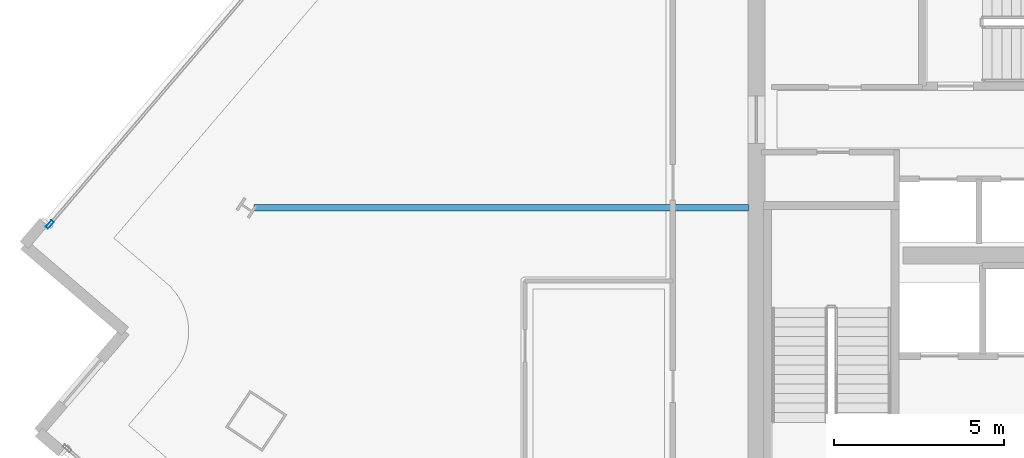
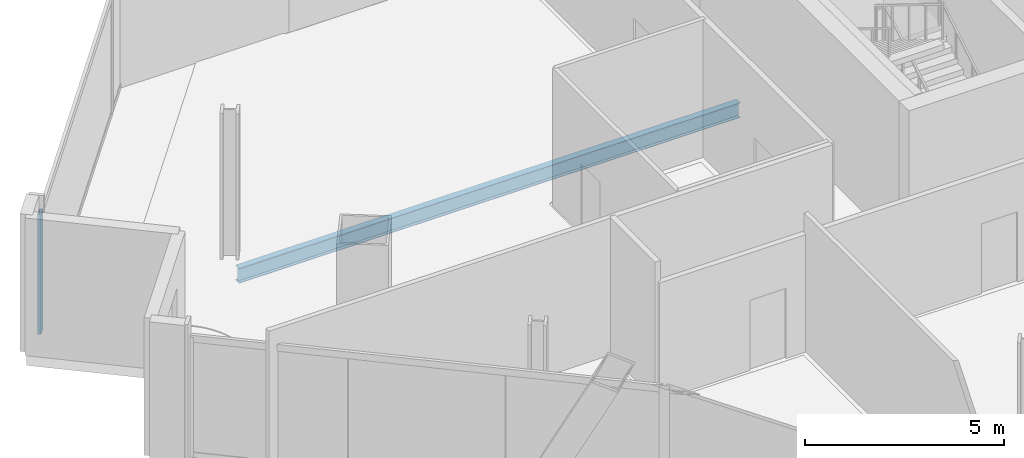
# One storey, part 5 of 26: 1 beam, 1 member, 1 element without a shape of its own.
"""IFC4 building model written with IfcOpenShell, lengths in metres."""

from ifc_helpers import new_model, si_unit, direction, frame, origin, origin_2d, place, context, subcontext, project, spatial, hollow_rectangle, i_section, extrude, material, material_profile, profile_set, type_object, element, aggregate, save


model = new_model("IFC4")

# Units and contexts
model_context = context("Model", 3, precision=1e-05, world=origin(), true_north=direction((0.0, 1.0)))
body_context = subcontext(model_context, "Body", "Model", "MODEL_VIEW")
ifc_project = project(units=[si_unit("LENGTHUNIT", "METRE"), si_unit("AREAUNIT", "SQUARE_METRE"), si_unit("VOLUMEUNIT", "CUBIC_METRE"), si_unit("PLANEANGLEUNIT", "RADIAN"), si_unit("MASSUNIT", "GRAM", prefix="KILO")], contexts=[model_context])

# Site, building, storey
site_placement = place(None, origin())
site = spatial("IfcSite", under=ifc_project, at=site_placement, CompositionType="ELEMENT")
building_placement = place(site_placement, origin())
building = spatial("IfcBuilding", under=site, at=building_placement, Name="Haldenkirk Collegiate Tower", CompositionType="ELEMENT")
storey_placement = place(building_placement, frame((0.0, 0.0, 193.949951171875)))
storey = spatial("IfcBuildingStorey", under=building, at=storey_placement, Name="L48", CompositionType="ELEMENT", Elevation=193.949951171875)

# Beam
ifc_material_1 = material(Name="Steel ASTM A992 Grade 50", Category="steel")
ifc_material_profile_1 = material_profile(ifc_material_1, i_section(OverallWidth=0.18994140625, OverallDepth=0.45703125, WebThickness=0.009033203125, FlangeThickness=0.014404296875, at=origin_2d()), Name="W18X50")
ifc_profile_set_1 = profile_set([ifc_material_profile_1], Name="Steel ASTM A992 Grade 50")
beam_type = type_object("IfcBeamType", Name="BM-JOIST-W18X50", PredefinedType="JOIST", material=ifc_profile_set_1)
beam_placement = place(storey_placement, frame((12.2421875, 26.34716796875, -0.638427734375), z_axis=(1.0, 0.0, 0.0), x_axis=(0.0, 1.0, 0.0)))
element("IfcBeam", 1, at=beam_placement, inside=storey, type_object=beam_type, Name="L48 composite floor joist 13", PredefinedType="JOIST", context=body_context, shape_type="SweptSolid", body=[
    extrude(i_section(OverallWidth=0.18994140625, OverallDepth=0.45703125, WebThickness=0.009033203125, FlangeThickness=0.014404296875, at=origin_2d()), origin(), (0.0, 0.0, 1.0), 14.52783203125),
])

# Curtain wall, member
ifc_material_2 = material(Name="Anodised architectural bronze aluminium", Category="aluminium")
curtain_wall_type = type_object("IfcCurtainWallType", Name="CW-SYS4-SKYGARDEN", PredefinedType="USERDEFINED", material=ifc_material_2)
curtain_wall_placement = place(storey_placement, origin())
curtain_wall = element("IfcCurtainWall", 2, at=curtain_wall_placement, inside=storey, type_object=curtain_wall_type, Name="L48 Sky-garden tall bronze curtain wall", ObjectType="UNITISED CURTAIN WALL", PredefinedType="USERDEFINED")
ifc_material_profile_2 = material_profile(ifc_material_2, hollow_rectangle(XDim=0.090087890625, YDim=0.260009765625, WallThickness=0.0048828125, at=origin_2d()), Name="CW-MUL-04")
ifc_profile_set_2 = profile_set([ifc_material_profile_2], Name="Anodised architectural bronze aluminium")
member_type = type_object("IfcMemberType", Name="CW-MUL-04", PredefinedType="MULLION", material=ifc_profile_set_2)
member_placement = place(storey_placement, frame((6.240478515625, 25.85791015625, 0.0), z_axis=(0.0, 0.0, 1.0), x_axis=(-0.759838201075, 0.650112227379, 0.0)))
member = element("IfcMember", 3, at=member_placement, type_object=member_type, Name="CW-04 mullion 1", PredefinedType="MULLION", context=body_context, shape_type="SweptSolid", body=[
    extrude(hollow_rectangle(XDim=0.090087890625, YDim=0.260009765625, WallThickness=0.0048828125, at=origin_2d()), origin(), (0.0, 0.0, 1.0), 3.677978515625),
])
aggregate(curtain_wall, [member])

save(model, "model.ifc")
